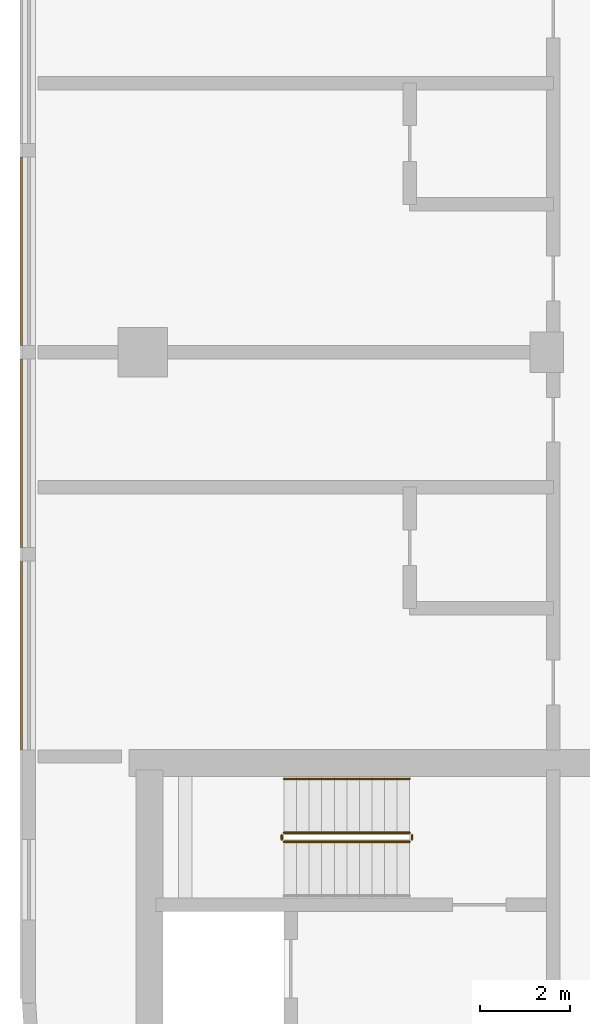
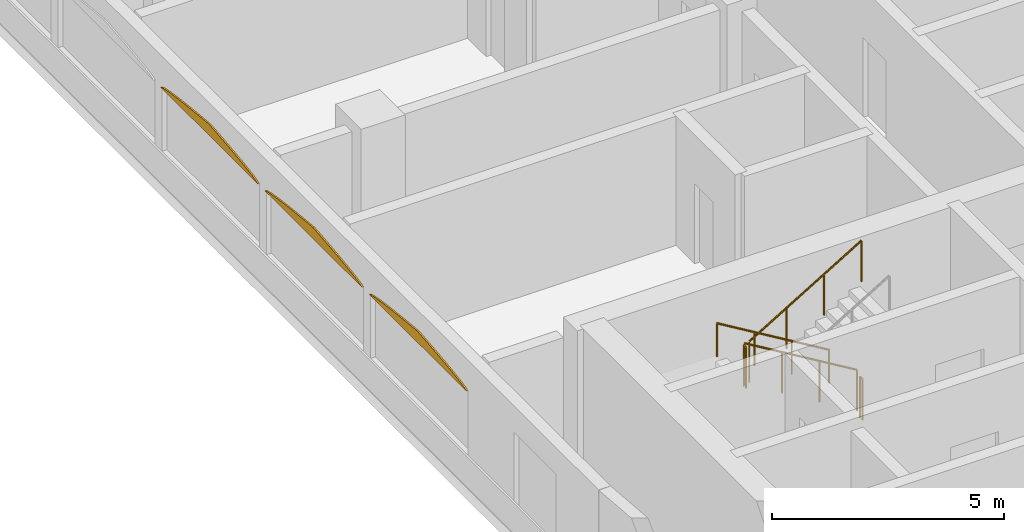
# One storey, part 19 of 25: 5 railings, 3 coverings.
"""IFC4 building model written with IfcOpenShell, lengths in metres."""

from ifc_helpers import new_model, si_unit, direction, frame, origin, origin_2d, place, context, subcontext, project, spatial, polyline, circle, outline, extrude, material, layer, layer_set, type_object, element, save


model = new_model("IFC4")

# Units and contexts
model_context = context("Model", 3, precision=1e-05, world=origin(), true_north=direction((0.0, 1.0)))
body_context = subcontext(model_context, "Body", "Model", "MODEL_VIEW")
ifc_project = project(units=[si_unit("LENGTHUNIT", "METRE"), si_unit("AREAUNIT", "SQUARE_METRE"), si_unit("VOLUMEUNIT", "CUBIC_METRE"), si_unit("PLANEANGLEUNIT", "RADIAN"), si_unit("MASSUNIT", "GRAM", prefix="KILO")], contexts=[model_context])

# Site, building, storey
site_placement = place(None, origin())
site = spatial("IfcSite", under=ifc_project, at=site_placement, CompositionType="ELEMENT")
building_placement = place(site_placement, origin())
building = spatial("IfcBuilding", under=site, at=building_placement, Name="Ogive Portal Towers", CompositionType="ELEMENT")
storey_placement = place(building_placement, frame((0.0, 0.0, 182.89990234375)))
storey = spatial("IfcBuildingStorey", under=building, at=storey_placement, Name="L45", CompositionType="ELEMENT", Elevation=182.89990234375)

# Railings
ifc_material_1 = material(Name="Stainless steel balustrade", Category="steel")
railing_type_1 = type_object("IfcRailingType", Name="INT-GUARD", PredefinedType="GUARDRAIL", material=ifc_material_1)
railing_1_placement = place(storey_placement, frame((37.449951171875, 37.800048828125, 0.168212890625)))
element("IfcRailing", 1, at=railing_1_placement, inside=storey, type_object=railing_type_1, Name="L45 ST-A1 stair guard 1", PredefinedType="GUARDRAIL", context=body_context, shape_type="SweptSolid", body=[
    extrude(circle(Radius=0.02392578125, at=origin_2d()), frame((0.0, 0.0, 1.076171875), z_axis=(-0.857242210791, 0.0, 0.514913383045), x_axis=(0.0, -1.0, 0.0)), (0.0, 0.0, 1.0), 3.266357421875),
    extrude(circle(Radius=0.02099609375, at=origin_2d()), origin(), (0.0, 0.0, 1.0), 1.052001953125),
    extrude(circle(Radius=0.02099609375, at=origin_2d()), frame((-0.933349609375, 0.0, 0.560546875)), (0.0, 0.0, 1.0), 1.052001953125),
    extrude(circle(Radius=0.02099609375, at=origin_2d()), frame((-1.86669921875, 0.0, 1.121337890625)), (0.0, 0.0, 1.0), 1.052001953125),
    extrude(circle(Radius=0.02099609375, at=origin_2d()), frame((-2.800048828125, 0.0, 1.681884765625)), (0.0, 0.0, 1.0), 1.052001953125),
])
railing_2_placement = place(storey_placement, frame((34.60009765625, 37.75, 1.85009765625)))
element("IfcRailing", 2, at=railing_2_placement, inside=storey, type_object=railing_type_1, Name="L45 ST-A1 stair guard 2", PredefinedType="GUARDRAIL", context=body_context, shape_type="SweptSolid", body=[
    extrude(circle(Radius=0.02392578125, at=origin_2d()), frame((0.0, 0.0, 1.076171875), z_axis=(0.0, -1.0, 0.0), x_axis=(1.0, 0.0, 0.0)), (0.0, 0.0, 1.0), 0.10009765625),
    extrude(circle(Radius=0.02099609375, at=origin_2d()), origin(), (0.0, 0.0, 1.0), 1.052001953125),
    extrude(circle(Radius=0.02099609375, at=origin_2d()), frame((0.0, -0.10009765625, 0.0)), (0.0, 0.0, 1.0), 1.052001953125),
])
railing_3_placement = place(storey_placement, frame((34.64990234375, 37.60009765625, 2.018310546875)))
element("IfcRailing", 3, at=railing_3_placement, inside=storey, type_object=railing_type_1, Name="L45 ST-A1 stair guard 3", PredefinedType="GUARDRAIL", context=body_context, shape_type="SweptSolid", body=[
    extrude(circle(Radius=0.02392578125, at=origin_2d()), frame((0.0, 0.0, 1.076171875), z_axis=(0.857242210791, 0.0, 0.514913383045), x_axis=(0.0, 1.0, 0.0)), (0.0, 0.0, 1.0), 3.266357421875),
    extrude(circle(Radius=0.02099609375, at=origin_2d()), origin(), (0.0, 0.0, 1.0), 1.052001953125),
    extrude(circle(Radius=0.02099609375, at=origin_2d()), frame((0.933349609375, 0.0, 0.560546875)), (0.0, 0.0, 1.0), 1.052001953125),
    extrude(circle(Radius=0.02099609375, at=origin_2d()), frame((1.86669921875, 0.0, 1.121337890625)), (0.0, 0.0, 1.0), 1.052001953125),
    extrude(circle(Radius=0.02099609375, at=origin_2d()), frame((2.800048828125, 0.0, 1.681884765625)), (0.0, 0.0, 1.0), 1.052001953125),
])
railing_4_placement = place(storey_placement, frame((37.5, 37.75, 0.0)))
element("IfcRailing", 4, at=railing_4_placement, inside=storey, type_object=railing_type_1, Name="L45 ST-A1 stair guard 4", PredefinedType="GUARDRAIL", context=body_context, shape_type="SweptSolid", body=[
    extrude(circle(Radius=0.02392578125, at=origin_2d()), frame((0.0, 0.0, 1.076171875), z_axis=(0.0, -1.0, 0.0), x_axis=(1.0, 0.0, 0.0)), (0.0, 0.0, 1.0), 0.10009765625),
    extrude(circle(Radius=0.02099609375, at=origin_2d()), origin(), (0.0, 0.0, 1.0), 1.052001953125),
    extrude(circle(Radius=0.02099609375, at=origin_2d()), frame((0.0, -0.10009765625, 0.0)), (0.0, 0.0, 1.0), 1.052001953125),
])
ifc_material_2 = material(Name="Stainless steel handrail", Category="steel")
railing_type_2 = type_object("IfcRailingType", Name="INT-HANDRAIL", PredefinedType="HANDRAIL", material=ifc_material_2)
railing_5_placement = place(storey_placement, frame((37.449951171875, 39.0, 0.168212890625)))
element("IfcRailing", 5, at=railing_5_placement, inside=storey, type_object=railing_type_2, Name="L45 ST-A1 stair handrail 1", PredefinedType="HANDRAIL", context=body_context, shape_type="SweptSolid", body=[
    extrude(circle(Radius=0.02392578125, at=origin_2d()), frame((0.0, 0.0, 0.8759765625), z_axis=(-0.857242210791, 0.0, 0.514913383045), x_axis=(0.0, -1.0, 0.0)), (0.0, 0.0, 1.0), 3.266357421875),
    extrude(circle(Radius=0.02099609375, at=origin_2d()), origin(), (0.0, 0.0, 1.0), 0.851806640625),
    extrude(circle(Radius=0.02099609375, at=origin_2d()), frame((-0.933349609375, 0.0, 0.560546875)), (0.0, 0.0, 1.0), 0.851806640625),
    extrude(circle(Radius=0.02099609375, at=origin_2d()), frame((-1.86669921875, 0.0, 1.121337890625)), (0.0, 0.0, 1.0), 0.851806640625),
    extrude(circle(Radius=0.02099609375, at=origin_2d()), frame((-2.800048828125, 0.0, 1.681884765625)), (0.0, 0.0, 1.0), 0.851806640625),
])

# Coverings
ifc_material_3 = material(Name="Limestone cladding on lightweight block wall", Category="masonry")
ifc_layer = layer(ifc_material_3, 0.0400390625)
ifc_layer_set = layer_set([ifc_layer], Name="LANCET HEAD STONE")
covering_type = type_object("IfcCoveringType", Name="LANCET HEAD STONE", PredefinedType="CLADDING", material=ifc_layer_set)
for number, where, z_axis, x_axis, name in (
    (6, (28.820068359375, 52.85009765625, 2.60009765625), (0.999947689108, 0.0, 0.01022834526), (0.0, -1.0, 0.0), "Lancet head"),
    (7, (28.820068359375, 48.35009765625, 2.60009765625), (0.999947689108, 0.0, 0.01022834526), (0.0, -1.0, 0.0), "Lancet head"),
    (8, (28.820068359375, 43.85009765625, 2.60009765625), (0.999947689108, 0.0, 0.01022834526), (0.0, -1.0, 0.0), "Lancet head"),
):
    element("IfcCovering", number, at=place(storey_placement, frame(where, z_axis=z_axis, x_axis=x_axis)), inside=storey, type_object=covering_type, Name=name, PredefinedType="CLADDING", context=body_context, shape_type="SweptSolid", body=[
        extrude(outline(polyline([(0.0, 0.0), (4.2001953125, 0.0), (4.107177734375, -0.03760068379228868), (3.9375, -0.07495474257618673), (3.7177734375, -0.11255542636847542), (3.45751953125, -0.14990948515237346), (3.162353515625, -0.18751016894466213), (2.836181640625, -0.2251083555823464), (2.481201171875, -0.2624649115208489), (2.10009765625, -0.30006559531313753), (1.718994140625, -0.2624649115208489), (1.364013671875, -0.2251083555823464), (1.037841796875, -0.18751016894466213), (0.74267578125, -0.14990948515237346), (0.482421875, -0.11255542636847542), (0.2626953125, -0.07495474257618673), (0.093017578125, -0.03760068379228868), (0.0, 0.0)])), origin(), (0.0, 0.0, -1.0), 0.0400390625),
    ])

save(model, "model.ifc")
